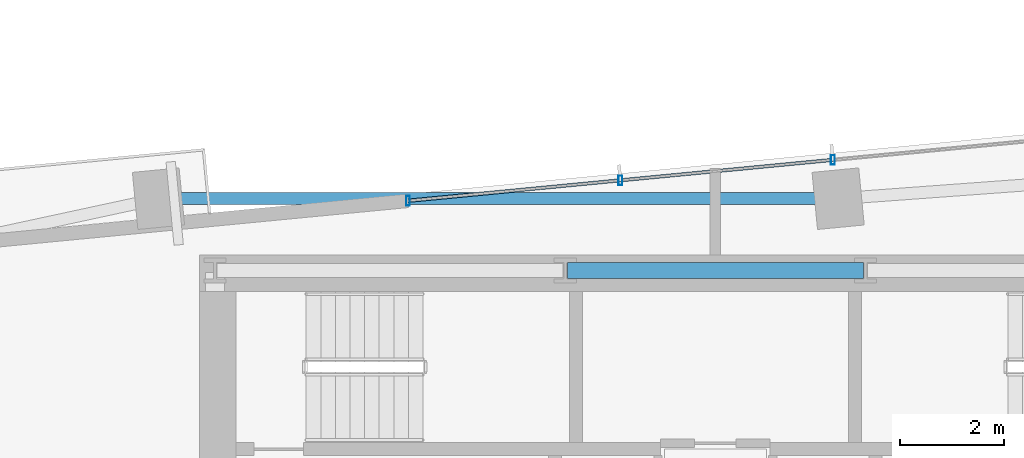
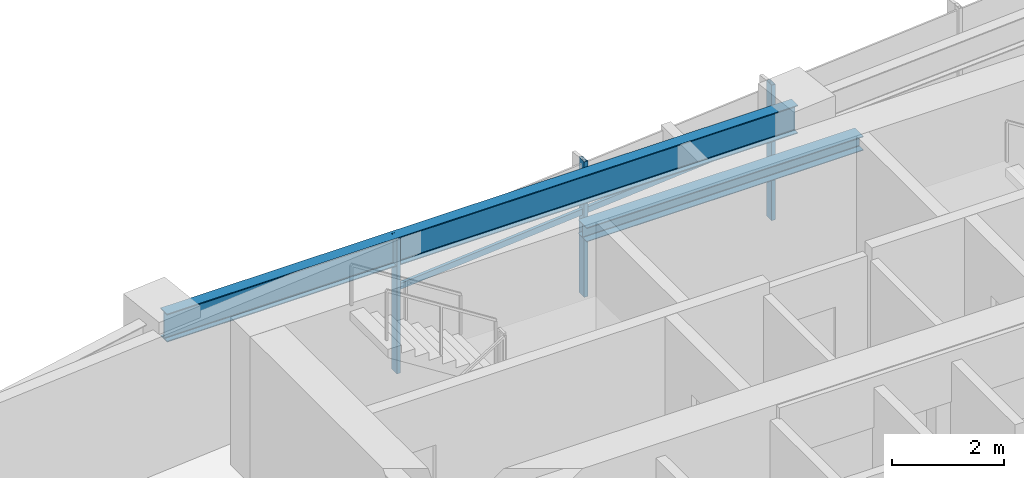
# One storey, part 10 of 25: 5 members, 2 beams, 1 element without a shape of its own.
"""IFC4 building model written with IfcOpenShell, lengths in metres."""

from ifc_helpers import new_model, si_unit, direction, frame, origin, origin_2d, place, context, subcontext, project, spatial, hollow_rectangle, i_section, extrude, source, transform, mapped, material, material_profile, profile_set, type_object, type_shapes, element, aggregate, save


model = new_model("IFC4")

# Units and contexts
model_context = context("Model", 3, precision=1e-05, world=origin(), true_north=direction((0.0, 1.0)))
body_context = subcontext(model_context, "Body", "Model", "MODEL_VIEW")
ifc_project = project(units=[si_unit("LENGTHUNIT", "METRE"), si_unit("AREAUNIT", "SQUARE_METRE"), si_unit("VOLUMEUNIT", "CUBIC_METRE"), si_unit("PLANEANGLEUNIT", "RADIAN"), si_unit("MASSUNIT", "GRAM", prefix="KILO")], contexts=[model_context])

# Site, building, storey
site_placement = place(None, origin())
site = spatial("IfcSite", under=ifc_project, at=site_placement, CompositionType="ELEMENT")
building_placement = place(site_placement, origin())
building = spatial("IfcBuilding", under=site, at=building_placement, Name="Astriad Promenade Condominiums", CompositionType="ELEMENT")
storey_placement = place(building_placement, frame((0.0, 0.0, 81.0)))
storey = spatial("IfcBuildingStorey", under=building, at=storey_placement, Name="L22", CompositionType="ELEMENT", Elevation=81.0)

# Beams
ifc_material_1 = material(Name="Steel ASTM A992 Grade 50", Category="steel")
ifc_material_profile_1 = material_profile(ifc_material_1, i_section(OverallWidth=0.3046875, OverallDepth=0.307861328125, WebThickness=0.010009765625, FlangeThickness=0.015380859375, FilletRadius=0.01513671875, at=origin_2d()), Name="W12X65")
ifc_profile_set_1 = profile_set([ifc_material_profile_1], Name="Steel ASTM A992 Grade 50")
beam_type_1 = type_object("IfcBeamType", Name="STEEL OPENING LINTEL W12X65", PredefinedType="LINTEL", material=ifc_profile_set_1)
shared_shape_1 = source(origin(), body_context, "Body", "SweptSolid", [
    extrude(i_section(OverallWidth=0.3046875, OverallDepth=0.307861328125, WebThickness=0.010009765625, FlangeThickness=0.015380859375, FilletRadius=0.01513671875, at=origin_2d()), origin(), (0.0, 0.0, 1.0), 5.68017578125),
])
type_shapes(beam_type_1, [shared_shape_1])
beam_1_placement = place(storey_placement, frame((33.159912109375, 24.0, 2.7861328125), z_axis=(1.0, 0.0, 0.0), x_axis=(0.0, 1.0, 0.0)))
element("IfcBeam", 1, at=beam_1_placement, inside=storey, type_object=beam_type_1, Name="Core Ring Beam CG-N2-L22", PredefinedType="LINTEL", context=body_context, shape_type="MappedRepresentation", body=[
    mapped(shared_shape_1, transform((0.0, 0.0, 0.0), scale=1.0)),
])
ifc_material_profile_2 = material_profile(ifc_material_1, i_section(OverallWidth=0.22900390625, OverallDepth=0.612060546875, WebThickness=0.011962890625, FlangeThickness=0.01953125, FilletRadius=0.017822265625, at=origin_2d()), Name="W24X84")
ifc_profile_set_2 = profile_set([ifc_material_profile_2], Name="Steel ASTM A992 Grade 50")
beam_type_2 = type_object("IfcBeamType", Name="STEEL SPANDREL BEAM W24X84", PredefinedType="SPANDREL", material=ifc_profile_set_2)
shared_shape_2 = source(origin(), body_context, "Body", "SweptSolid", [
    extrude(i_section(OverallWidth=0.22900390625, OverallDepth=0.612060546875, WebThickness=0.011962890625, FlangeThickness=0.01953125, FilletRadius=0.017822265625, at=origin_2d()), origin(), (0.0, 0.0, 1.0), 12.959716796875),
])
type_shapes(beam_type_2, [shared_shape_2])
beam_2_placement = place(storey_placement, frame((38.314697265625, 25.3798828125, 2.6337890625), z_axis=(-1.0, 0.0, 0.0), x_axis=(0.0, -1.0, 0.0)))
element("IfcBeam", 2, at=beam_2_placement, inside=storey, type_object=beam_type_2, Name="Perimeter Spandrel Beam SP-N2-L22", PredefinedType="SPANDREL", context=body_context, shape_type="MappedRepresentation", body=[
    mapped(shared_shape_2, transform((0.0, 0.0, 0.0), scale=1.0)),
])

# Curtain wall, members
ifc_material_2 = material(Name="Anodised aluminium Black Dark Glass Unitised", Category="aluminium")
curtain_wall_type = type_object("IfcCurtainWallType", Name="CW-B2-DARK", PredefinedType="USERDEFINED", material=ifc_material_2)
curtain_wall_placement = place(storey_placement, origin())
curtain_wall = element("IfcCurtainWall", 3, at=curtain_wall_placement, inside=storey, type_object=curtain_wall_type, Name="CW-L22-N", ObjectType="UNITISED_CURTAIN_WALL", PredefinedType="USERDEFINED")
ifc_material_3 = material(Name="Anodised aluminium 6063-T6 Black", Category="aluminium")
ifc_material_profile_3 = material_profile(ifc_material_3, hollow_rectangle(XDim=0.074951171875, YDim=0.18505859375, WallThickness=0.00439453125, at=origin_2d()), Name="ALU-MUL-75X185")
ifc_profile_set_3 = profile_set([ifc_material_profile_3], Name="Anodised aluminium 6063-T6 Black")
member_type_1 = type_object("IfcMemberType", Name="MUL-ALU-MUL-75X185", PredefinedType="MULLION", material=ifc_profile_set_3)
shared_shape_3 = source(origin(), body_context, "Body", "SweptSolid", [
    extrude(hollow_rectangle(XDim=0.074951171875, YDim=0.18505859375, WallThickness=0.00439453125, at=origin_2d()), origin(), (0.0, 0.0, 1.0), 2.93994140625),
])
type_shapes(member_type_1, [shared_shape_3])
member_1_placement = place(storey_placement, frame((30.101806640625, 25.339599609375, 0.0), z_axis=(0.0, 0.0, 1.0), x_axis=(1.0, 0.0, 0.0)))
member_1 = element("IfcMember", 4, at=member_1_placement, type_object=member_type_1, Name="CW-L22-N-MUL-00", PredefinedType="MULLION", context=body_context, shape_type="MappedRepresentation", body=[
    mapped(shared_shape_3, transform((0.0, 0.0, 0.0), scale=1.0)),
])
member_2_placement = place(storey_placement, frame((34.177734375, 25.732177734375, 0.0), z_axis=(0.0, 0.0, 1.0), x_axis=(1.0, 0.0, 0.0)))
member_2 = element("IfcMember", 5, at=member_2_placement, type_object=member_type_1, Name="CW-L22-N-MUL-01", PredefinedType="MULLION", context=body_context, shape_type="MappedRepresentation", body=[
    mapped(shared_shape_3, transform((0.0, 0.0, 0.0), scale=1.0)),
])
member_3_placement = place(storey_placement, frame((38.25390625, 26.12451171875, 0.0), z_axis=(0.0, 0.0, 1.0), x_axis=(1.0, 0.0, 0.0)))
member_3 = element("IfcMember", 6, at=member_3_placement, type_object=member_type_1, Name="CW-L22-N-MUL-02", PredefinedType="MULLION", context=body_context, shape_type="MappedRepresentation", body=[
    mapped(shared_shape_3, transform((0.0, 0.0, 0.0), scale=1.0)),
])
ifc_material_profile_4 = material_profile(ifc_material_3, hollow_rectangle(XDim=0.06494140625, YDim=0.1298828125, WallThickness=0.00390625, at=origin_2d()), Name="ALU-TRN-65X130")
ifc_profile_set_4 = profile_set([ifc_material_profile_4], Name="Anodised aluminium 6063-T6 Black")
member_type_2 = type_object("IfcMemberType", Name="TRN-ALU-TRN-65X130", PredefinedType="USERDEFINED", material=ifc_profile_set_4)
shared_shape_4 = source(origin(), body_context, "Body", "SweptSolid", [
    extrude(hollow_rectangle(XDim=0.06494140625, YDim=0.1298828125, WallThickness=0.00390625, at=origin_2d()), origin(), (0.0, 0.0, 1.0), 4.0947265625),
])
member_4_placement = place(storey_placement, frame((30.101806640625, 25.339599609375, 1.82275390625), z_axis=(0.995393613612, 0.095872592434, 0.0), x_axis=(-0.095872592434, 0.995393613612, 0.0)))
member_4 = element("IfcMember", 7, at=member_4_placement, type_object=member_type_2, Name="CW-L22-N-TRN-00-0", ObjectType="TRANSOM", PredefinedType="USERDEFINED", context=body_context, shape_type="MappedRepresentation", body=[
    mapped(shared_shape_4, transform((0.0, 0.0, 0.0), scale=1.0)),
])
shared_shape_5 = source(origin(), body_context, "Body", "SweptSolid", [
    extrude(hollow_rectangle(XDim=0.06494140625, YDim=0.1298828125, WallThickness=0.00390625, at=origin_2d()), origin(), (0.0, 0.0, 1.0), 4.094970703125),
])
type_shapes(member_type_2, [shared_shape_4, shared_shape_5])
member_5_placement = place(storey_placement, frame((34.177734375, 25.732177734375, 1.82275390625), z_axis=(0.995399849002, 0.095807831657, 0.0), x_axis=(-0.095807831657, 0.995399849002, 0.0)))
member_5 = element("IfcMember", 8, at=member_5_placement, type_object=member_type_2, Name="CW-L22-N-TRN-01-0", ObjectType="TRANSOM", PredefinedType="USERDEFINED", context=body_context, shape_type="MappedRepresentation", body=[
    mapped(shared_shape_5, transform((0.0, 0.0, 0.0), scale=1.0)),
])
aggregate(curtain_wall, [member_1, member_2, member_3, member_4, member_5])

save(model, "model.ifc")
